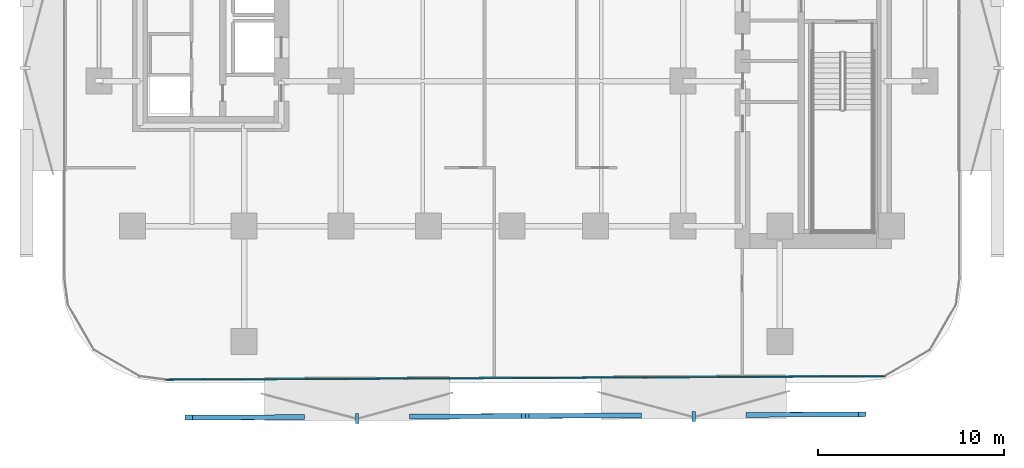
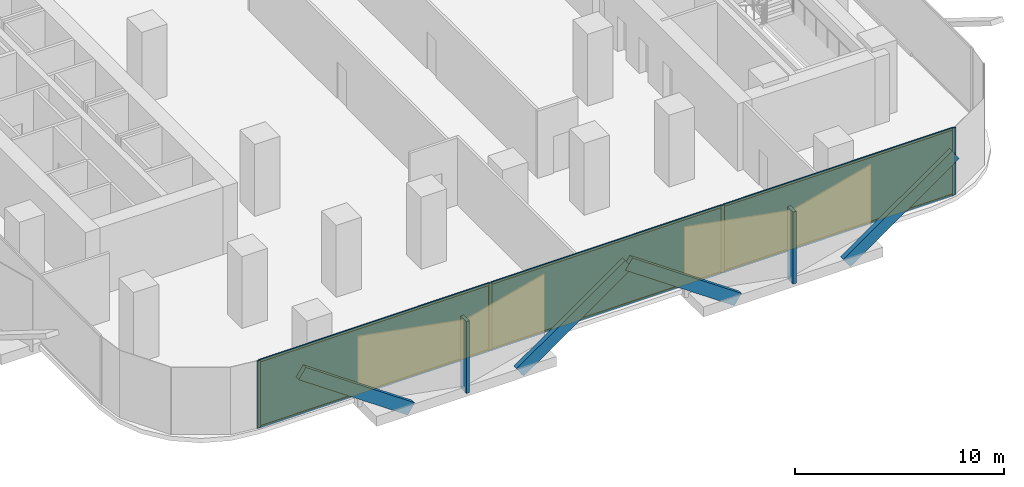
# One storey, part 7 of 15: 16 members, 3 plates, 1 curtain wall.
"""IFC4 building model written with IfcOpenShell, lengths in metres."""

from ifc_helpers import new_model, si_unit, direction, frame, frame_2d, origin, origin_2d, place, context, subcontext, project, spatial, rectangle, extrude, material, layer, layer_set, material_profile, profile_set, type_object, element, aggregate, save


model = new_model("IFC4")

# Units and contexts
model_context = context("Model", 3, precision=1e-05, world=origin(), true_north=direction((0.0, 1.0)))
body_context = subcontext(model_context, "Body", "Model", "MODEL_VIEW")
ifc_project = project(units=[si_unit("LENGTHUNIT", "METRE"), si_unit("AREAUNIT", "SQUARE_METRE"), si_unit("VOLUMEUNIT", "CUBIC_METRE"), si_unit("PLANEANGLEUNIT", "RADIAN"), si_unit("MASSUNIT", "GRAM", prefix="KILO")], contexts=[model_context])

# Member
ifc_material_1 = material(Name="Anodised Bronze Aluminium 6063-T6", Category="aluminium")
ifc_material_profile_1 = material_profile(ifc_material_1, rectangle(XDim=0.260009765625, YDim=0.699951171875, at=origin_2d()))
ifc_profile_set_1 = profile_set([ifc_material_profile_1], Name="Anodised Bronze Aluminium 6063-T6")
member_type_1 = type_object("IfcMemberType", Name="Bronze Diamond Solar-Screen Lattice Rib BDL-700", PredefinedType="MULLION", material=ifc_profile_set_1)
site_placement = place(None, origin())
building_placement = place(site_placement, origin())
storey_placement = place(building_placement, frame((0.0, 0.0, 59.60009765625)))
member_1_placement = place(storey_placement, frame((6.7548828125, -28.777099609375, -0.130126953125), z_axis=(-0.820743653079, -0.003984998518, 0.57128274586), x_axis=(-0.00764700594, 0.999962717129, -0.004010941449)))
member_1 = element("IfcMember", 1, at=member_1_placement, type_object=member_type_1, Name="L14 Bronze Diamond Solar Screen Lattice Rib 65A", PredefinedType="MULLION", context=body_context, shape_type="SweptSolid", body=[
    extrude(rectangle(XDim=0.260009765625, YDim=0.699951171875, at=origin_2d()), origin(), (0.0, 0.0, 1.0), 7.351806640625),
])

member_2_placement = place(storey_placement, frame((12.788818359375, -28.747802734375, -0.130126953125), z_axis=(0.820743653079, 0.003984998518, 0.57128274586), x_axis=(0.00764700594, -0.999962717129, -0.004010941449)))
member_2 = element("IfcMember", 2, at=member_2_placement, type_object=member_type_1, Name="L14 Bronze Diamond Solar Screen Lattice Rib 65B", PredefinedType="MULLION", context=body_context, shape_type="SweptSolid", body=[
    extrude(rectangle(XDim=0.260009765625, YDim=0.699951171875, at=origin_2d()), origin(), (0.0, 0.0, 1.0), 7.351806640625),
])

member_3_placement = place(storey_placement, frame((-11.346923828125, -28.864990234375, -0.130126953125), z_axis=(-0.820743653079, -0.003984998518, 0.57128274586), x_axis=(-0.00764700594, 0.999962717129, -0.004010941449)))
member_3 = element("IfcMember", 3, at=member_3_placement, type_object=member_type_1, Name="L14 Bronze Diamond Solar Screen Lattice Rib 66A", PredefinedType="MULLION", context=body_context, shape_type="SweptSolid", body=[
    extrude(rectangle(XDim=0.260009765625, YDim=0.699951171875, at=origin_2d()), origin(), (0.0, 0.0, 1.0), 7.351806640625),
])

member_4_placement = place(storey_placement, frame((-5.31298828125, -28.835693359375, -0.130126953125), z_axis=(0.820743653079, 0.003984998518, 0.57128274586), x_axis=(0.00764700594, -0.999962717129, -0.004010941449)))
member_4 = element("IfcMember", 4, at=member_4_placement, type_object=member_type_1, Name="L14 Bronze Diamond Solar Screen Lattice Rib 66B", PredefinedType="MULLION", context=body_context, shape_type="SweptSolid", body=[
    extrude(rectangle(XDim=0.260009765625, YDim=0.699951171875, at=origin_2d()), origin(), (0.0, 0.0, 1.0), 7.351806640625),
])

ifc_material_2 = material(Name="Anodised Bronze Aluminium 6063-T6", Category="aluminium")
ifc_material_profile_2 = material_profile(ifc_material_2, rectangle(XDim=0.179931640625, YDim=0.5400390625, at=origin_2d()))
ifc_profile_set_2 = profile_set([ifc_material_profile_2], Name="Anodised Bronze Aluminium 6063-T6")
member_type_2 = type_object("IfcMemberType", Name="Bronze Solar-Screen Vertical Fold Fin BSF-540", PredefinedType="MULLION", material=ifc_profile_set_2)
member_5_placement = place(storey_placement, frame((9.772216796875, -28.842529296875, -0.130126953125), z_axis=(0.0, 0.0, 1.0), x_axis=(-0.999988059021, -0.004886902454, 0.0)))
member_5 = element("IfcMember", 5, at=member_5_placement, type_object=member_type_2, Name="L14 Bronze Solar Screen Vertical Fin 65", PredefinedType="MULLION", context=body_context, shape_type="SweptSolid", body=[
    extrude(rectangle(XDim=0.179931640625, YDim=0.5400390625, at=origin_2d()), origin(), (0.0, 0.0, 1.0), 4.199951171875),
])

member_6_placement = place(storey_placement, frame((-8.32958984375, -28.930419921875, -0.130126953125), z_axis=(0.0, 0.0, 1.0), x_axis=(-0.999988059021, -0.004886902454, 0.0)))
member_6 = element("IfcMember", 6, at=member_6_placement, type_object=member_type_2, Name="L14 Bronze Solar Screen Vertical Fin 66", PredefinedType="MULLION", context=body_context, shape_type="SweptSolid", body=[
    extrude(rectangle(XDim=0.179931640625, YDim=0.5400390625, at=origin_2d()), origin(), (0.0, 0.0, 1.0), 4.199951171875),
])

ifc_material_3 = material(Name="Anodised Bronze Aluminium 6063-T6", Category="aluminium")
ifc_material_profile_3 = material_profile(ifc_material_3, rectangle(XDim=0.06494140625, YDim=0.179931640625, at=origin_2d()))
ifc_profile_set_3 = profile_set([ifc_material_profile_3], Name="Anodised Bronze Aluminium 6063-T6")
member_type_3 = type_object("IfcMemberType", Name="CW-Z1 Mullion 65x180", PredefinedType="MULLION", material=ifc_profile_set_3)
member_7_placement = place(storey_placement, frame((19.98046875, -26.6728515625, 0.0), z_axis=(0.0, 0.0, 1.0), x_axis=(0.004849219095, -0.999988242468, 0.0)))
member_7 = element("IfcMember", 7, at=member_7_placement, type_object=member_type_3, Name="CW-Z1 mullion 1", PredefinedType="MULLION", context=body_context, shape_type="SweptSolid", body=[
    extrude(rectangle(XDim=0.06494140625, YDim=0.179931640625, at=origin_2d()), origin(), (0.0, 0.0, 1.0), 3.93994140625),
])

member_8_placement = place(storey_placement, frame((7.14501953125, -26.735107421875, 0.0), z_axis=(0.0, 0.0, 1.0), x_axis=(0.004849219095, -0.999988242468, 0.0)))
member_8 = element("IfcMember", 8, at=member_8_placement, type_object=member_type_3, Name="CW-Z1 mullion 2", PredefinedType="MULLION", context=body_context, shape_type="SweptSolid", body=[
    extrude(rectangle(XDim=0.06494140625, YDim=0.179931640625, at=origin_2d()), origin(), (0.0, 0.0, 1.0), 3.93994140625),
])

member_9_placement = place(storey_placement, frame((-5.722900390625, -26.797607421875, 0.0), z_axis=(0.0, 0.0, 1.0), x_axis=(0.004849219095, -0.999988242468, 0.0)))
member_9 = element("IfcMember", 9, at=member_9_placement, type_object=member_type_3, Name="CW-Z1 mullion 3", PredefinedType="MULLION", context=body_context, shape_type="SweptSolid", body=[
    extrude(rectangle(XDim=0.06494140625, YDim=0.179931640625, at=origin_2d()), origin(), (0.0, 0.0, 1.0), 3.93994140625),
])

member_10_placement = place(storey_placement, frame((-18.558349609375, -26.85986328125, 0.0), z_axis=(0.0, 0.0, 1.0), x_axis=(0.004849219095, -0.999988242468, 0.0)))
member_10 = element("IfcMember", 10, at=member_10_placement, type_object=member_type_3, Name="CW-Z1 mullion 4", PredefinedType="MULLION", context=body_context, shape_type="SweptSolid", body=[
    extrude(rectangle(XDim=0.06494140625, YDim=0.179931640625, at=origin_2d()), origin(), (0.0, 0.0, 1.0), 3.93994140625),
])

ifc_material_4 = material(Name="Anodised Bronze Aluminium 6063-T6", Category="aluminium")
ifc_material_profile_4 = material_profile(ifc_material_4, rectangle(XDim=0.06494140625, YDim=0.139892578125, at=origin_2d()))
ifc_profile_set_4 = profile_set([ifc_material_profile_4], Name="Anodised Bronze Aluminium 6063-T6")
member_type_4 = type_object("IfcMemberType", Name="CW-Z1 Transom 65x140", PredefinedType="USERDEFINED", material=ifc_profile_set_4)
member_11_placement = place(storey_placement, frame((19.947998046875, -26.673095703125, 0.032470703125), z_axis=(-0.99998821055, -0.004855796541, 0.0), x_axis=(0.004855796541, -0.99998821055, 0.0)))
member_11 = element("IfcMember", 11, at=member_11_placement, type_object=member_type_4, Name="CW-Z1 transom 1.1", ObjectType="TRANSOM", PredefinedType="USERDEFINED", context=body_context, shape_type="SweptSolid", body=[
    extrude(rectangle(XDim=0.06494140625, YDim=0.139892578125, at=origin_2d()), origin(), (0.0, 0.0, 1.0), 12.770751953125),
])

member_12_placement = place(storey_placement, frame((19.947998046875, -26.673095703125, 3.907470703125), z_axis=(-0.99998821055, -0.004855796541, 0.0), x_axis=(0.004855796541, -0.99998821055, 0.0)))
member_12 = element("IfcMember", 12, at=member_12_placement, type_object=member_type_4, Name="CW-Z1 transom 1.2", ObjectType="TRANSOM", PredefinedType="USERDEFINED", context=body_context, shape_type="SweptSolid", body=[
    extrude(rectangle(XDim=0.06494140625, YDim=0.139892578125, at=origin_2d()), origin(), (0.0, 0.0, 1.0), 12.770751953125),
])

member_13_placement = place(storey_placement, frame((7.112548828125, -26.7353515625, 0.032470703125), z_axis=(-0.999988270274, -0.004843481639, 0.0), x_axis=(0.004843481639, -0.999988270274, 0.0)))
member_13 = element("IfcMember", 13, at=member_13_placement, type_object=member_type_4, Name="CW-Z1 transom 2.1", ObjectType="TRANSOM", PredefinedType="USERDEFINED", context=body_context, shape_type="SweptSolid", body=[
    extrude(rectangle(XDim=0.06494140625, YDim=0.139892578125, at=origin_2d()), origin(), (0.0, 0.0, 1.0), 12.80322265625),
])

member_14_placement = place(storey_placement, frame((7.112548828125, -26.7353515625, 3.907470703125), z_axis=(-0.999988270274, -0.004843481639, 0.0), x_axis=(0.004843481639, -0.999988270274, 0.0)))
member_14 = element("IfcMember", 14, at=member_14_placement, type_object=member_type_4, Name="CW-Z1 transom 2.2", ObjectType="TRANSOM", PredefinedType="USERDEFINED", context=body_context, shape_type="SweptSolid", body=[
    extrude(rectangle(XDim=0.06494140625, YDim=0.139892578125, at=origin_2d()), origin(), (0.0, 0.0, 1.0), 12.80322265625),
])

member_15_placement = place(storey_placement, frame((-5.75537109375, -26.7978515625, 0.032470703125), z_axis=(-0.999988303196, -0.00483667968, 0.0), x_axis=(0.00483667968, -0.999988303196, 0.0)))
member_15 = element("IfcMember", 15, at=member_15_placement, type_object=member_type_4, Name="CW-Z1 transom 3.1", ObjectType="TRANSOM", PredefinedType="USERDEFINED", context=body_context, shape_type="SweptSolid", body=[
    extrude(rectangle(XDim=0.06494140625, YDim=0.139892578125, at=origin_2d()), origin(), (0.0, 0.0, 1.0), 12.770751953125),
])

member_16_placement = place(storey_placement, frame((-5.75537109375, -26.7978515625, 3.907470703125), z_axis=(-0.999988303196, -0.00483667968, 0.0), x_axis=(0.00483667968, -0.999988303196, 0.0)))
member_16 = element("IfcMember", 16, at=member_16_placement, type_object=member_type_4, Name="CW-Z1 transom 3.2", ObjectType="TRANSOM", PredefinedType="USERDEFINED", context=body_context, shape_type="SweptSolid", body=[
    extrude(rectangle(XDim=0.06494140625, YDim=0.139892578125, at=origin_2d()), origin(), (0.0, 0.0, 1.0), 12.770751953125),
])

# Plate
ifc_material_5 = material(Name="Low-E Solar Control Laminated Glass", Category="glass")
ifc_layer_1 = layer(ifc_material_5, 0.028076171875, Name="Low-E Solar Control Laminated Glass")
ifc_layer_set_1 = layer_set([ifc_layer_1], Name="Low-E Solar Control Laminated Glass")
plate_type = type_object("IfcPlateType", Name="CW-Z1 Low-E Double Glazed Panel 28mm", PredefinedType="CURTAIN_PANEL", material=ifc_layer_set_1)
plate_1_placement = place(storey_placement, frame((13.562744140625, -26.7041015625, 0.06494140625), z_axis=(0.0, 0.0, 1.0), x_axis=(-0.999988242468, -0.004849219095, 0.0)))
plate_1 = element("IfcPlate", 17, at=plate_1_placement, type_object=plate_type, Name="CW-Z1 panel 1.1", PredefinedType="CURTAIN_PANEL", context=body_context, shape_type="SweptSolid", body=[
    extrude(rectangle(XDim=12.7705078125, YDim=0.028076171875, at=origin_2d()), origin(), (0.0, 0.0, 1.0), 3.81005859375),
])

plate_2_placement = place(storey_placement, frame((0.7109375, -26.766357421875, 0.06494140625), z_axis=(0.0, 0.0, 1.0), x_axis=(-0.999988242468, -0.004849219095, 0.0)))
plate_2 = element("IfcPlate", 18, at=plate_2_placement, type_object=plate_type, Name="CW-Z1 panel 2.1", PredefinedType="CURTAIN_PANEL", context=body_context, shape_type="SweptSolid", body=[
    extrude(rectangle(XDim=12.802978515625, YDim=0.028076171875, at=origin_2d()), origin(), (0.0, 0.0, 1.0), 3.81005859375),
])

plate_3_placement = place(storey_placement, frame((-12.140625, -26.82861328125, 0.06494140625), z_axis=(0.0, 0.0, 1.0), x_axis=(-0.999988242468, -0.004849219095, 0.0)))
plate_3 = element("IfcPlate", 19, at=plate_3_placement, type_object=plate_type, Name="CW-Z1 panel 3.1", PredefinedType="CURTAIN_PANEL", context=body_context, shape_type="SweptSolid", body=[
    extrude(rectangle(XDim=12.7705078125, YDim=0.028076171875, at=origin_2d()), origin(), (0.0, 0.0, 1.0), 3.81005859375),
])

# Site, building, storey
site = spatial("IfcSite", under=ifc_project, at=site_placement, CompositionType="ELEMENT")
building = spatial("IfcBuilding", under=site, at=building_placement, Name="Khairoan Windgate Tower", CompositionType="ELEMENT")
storey = spatial("IfcBuildingStorey", under=building, at=storey_placement, Name="L14", CompositionType="ELEMENT", Elevation=59.60009765625)

# Curtain wall
ifc_material_6 = material(Name="Anodised Bronze Aluminium 6063-T6", Category="aluminium")
ifc_layer_2 = layer(ifc_material_6, 0.179931640625, Name="Anodised Bronze Aluminium 6063-T6")
ifc_layer_set_2 = layer_set([ifc_layer_2], Name="Anodised Bronze Aluminium 6063-T6")
curtain_wall_type = type_object("IfcCurtainWallType", Name="Low-Rise Office Unitised Curtain Wall CW-Z1", PredefinedType="NOTDEFINED", material=ifc_layer_set_2)
curtain_wall_placement = place(storey_placement, frame((20.012939453125, -26.6728515625, 0.0), z_axis=(0.0, 0.0, 1.0), x_axis=(-0.999988235487, -0.004850658525, 0.0)))
curtain_wall = element("IfcCurtainWall", 20, at=curtain_wall_placement, inside=storey, type_object=curtain_wall_type, Name="L14 Unitised Curtain Wall 1", PredefinedType="NOTDEFINED", context=body_context, shape_type="SweptSolid", body=[
    extrude(rectangle(XDim=38.604248046875, YDim=0.010009765625, at=frame_2d((19.30224609375, 0.0))), origin(), (0.0, 0.0, 1.0), 3.93994140625),
])

aggregate(curtain_wall, [member_7, member_8, member_9, member_10, member_11, member_12, plate_1, member_13, member_14, plate_2, member_15, member_16, plate_3, member_1, member_2, member_5, member_3, member_4, member_6])

save(model, "model.ifc")
